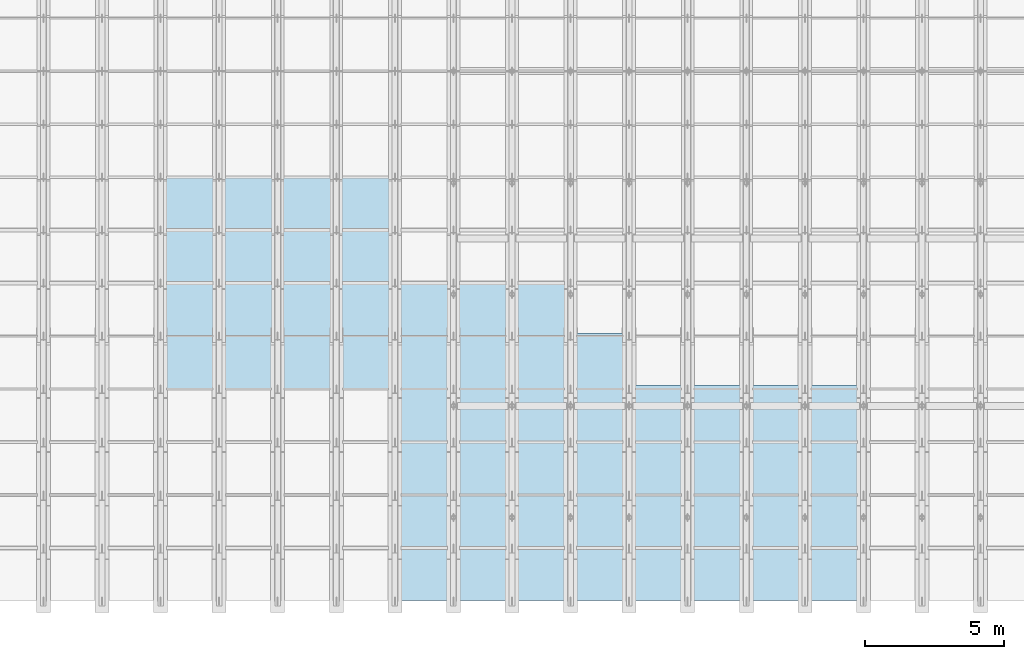
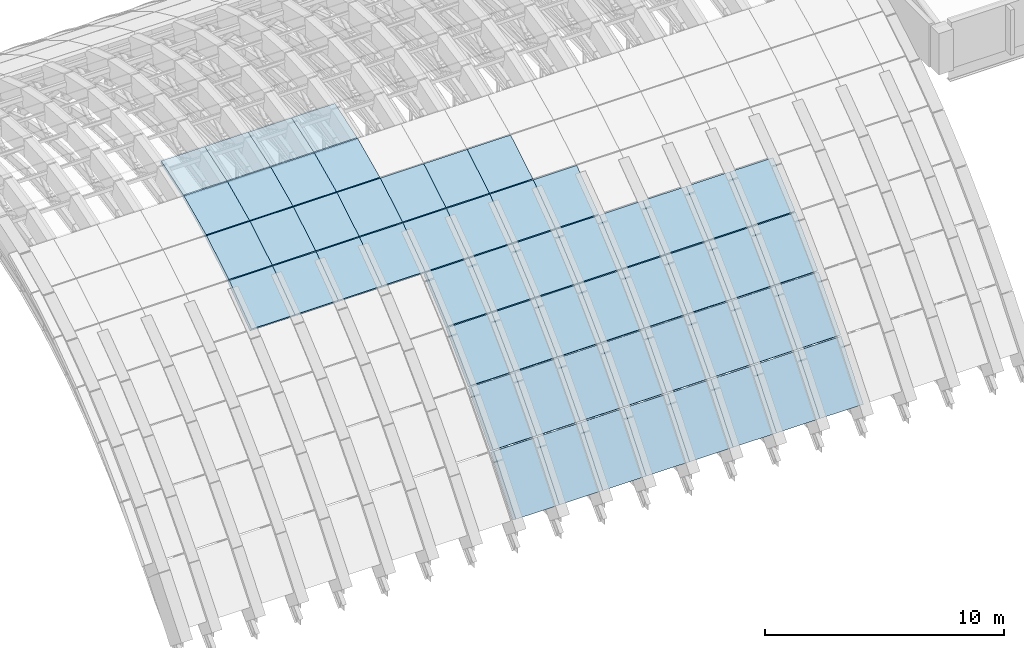
# One storey, part 51 of 67: 55 plates, 1 element without a shape of its own.
"""IFC4 building model written with IfcOpenShell, lengths in metres."""

from ifc_helpers import new_model, si_unit, direction, frame, origin, place, context, subcontext, project, spatial, polyline, outline, extrude, material, layer, layer_set, type_object, element, aggregate, save


model = new_model("IFC4")

# Units and contexts
model_context = context("Model", 3, precision=1e-05, world=origin(), true_north=direction((0.0, 1.0)))
body_context = subcontext(model_context, "Body", "Model", "MODEL_VIEW")
ifc_project = project(units=[si_unit("LENGTHUNIT", "METRE"), si_unit("AREAUNIT", "SQUARE_METRE"), si_unit("VOLUMEUNIT", "CUBIC_METRE"), si_unit("PLANEANGLEUNIT", "RADIAN"), si_unit("MASSUNIT", "GRAM", prefix="KILO")], contexts=[model_context])

# Site, building, storey
site_placement = place(None, origin())
site = spatial("IfcSite", under=ifc_project, at=site_placement, CompositionType="ELEMENT")
building_placement = place(site_placement, origin())
building = spatial("IfcBuilding", under=site, at=building_placement, Name="Shengluoqiao Park Theatre", CompositionType="ELEMENT")
storey_placement = place(building_placement, frame((0.0, 0.0, 28.60009765625)))
storey = spatial("IfcBuildingStorey", under=building, at=storey_placement, Name="Roof", CompositionType="ELEMENT", Elevation=28.60009765625)

# Roof, plates
ifc_material = material(Name="Concrete C50", Category="concrete")
roof_type = type_object("IfcRoofType", Name="STR-ROOF-BARREL", PredefinedType="BARREL_ROOF", material=ifc_material)
roof_placement = place(storey_placement, origin())
roof = element("IfcRoof", 1, at=roof_placement, inside=storey, type_object=roof_type, Name="Main Theatre Barrel-Vault Thin-Shell Roof", PredefinedType="BARREL_ROOF")
ifc_layer_1 = layer(ifc_material, 0.340087890625, Name="Concrete C50")
ifc_layer_set_1 = layer_set([ifc_layer_1], Name="Concrete C50")
plate_type_1 = type_object("IfcPlateType", Name="STR-SHP-SP-01", PredefinedType="USERDEFINED", material=ifc_layer_set_1)
plate_1_placement = place(storey_placement, frame((61.199951171875, 76.01806640625, -9.376220703125), z_axis=(0.0, -0.783285756394, 0.621661824331), x_axis=(1.0, 0.0, 0.0)))
plate_1 = element("IfcPlate", 2, at=plate_1_placement, type_object=plate_type_1, Name="Barrel-Vault Shell Panel B09-S01", ObjectType="SHELL PANEL", PredefinedType="USERDEFINED", context=body_context, shape_type="SweptSolid", body=[
    extrude(outline(polyline([(0.0, 0.0), (2.10009765625, 0.0), (2.10009765625, 2.998436768866167), (0.0, 2.998436768866167), (0.0, 0.0)])), origin(), (0.0, 0.0, -1.0), 0.340087890625),
])
plate_2_placement = place(storey_placement, frame((63.300048828125, 76.01806640625, -9.376220703125), z_axis=(0.0, -0.783285756394, 0.621661824331), x_axis=(1.0, 0.0, 0.0)))
plate_2 = element("IfcPlate", 3, at=plate_2_placement, type_object=plate_type_1, Name="Barrel-Vault Shell Panel B10-S01", ObjectType="SHELL PANEL", PredefinedType="USERDEFINED", context=body_context, shape_type="SweptSolid", body=[
    extrude(outline(polyline([(0.0, 0.0), (2.099853515625, 0.0), (2.099853515625, 2.9984367688661675), (0.0, 2.9984367688661675), (0.0, 0.0)])), origin(), (0.0, 0.0, -1.0), 0.340087890625),
])
plate_3_placement = place(storey_placement, frame((65.39990234375, 76.01806640625, -9.376220703125), z_axis=(0.0, -0.783285756394, 0.621661824331), x_axis=(1.0, 0.0, 0.0)))
plate_3 = element("IfcPlate", 4, at=plate_3_placement, type_object=plate_type_1, Name="Barrel-Vault Shell Panel B11-S01", ObjectType="SHELL PANEL", PredefinedType="USERDEFINED", context=body_context, shape_type="SweptSolid", body=[
    extrude(outline(polyline([(0.0, 0.0), (2.10009765625, 0.0), (2.10009765625, 2.998436768866167), (0.0, 2.998436768866167), (0.0, 0.0)])), origin(), (0.0, 0.0, -1.0), 0.340087890625),
])
plate_4_placement = place(storey_placement, frame((67.5, 76.01806640625, -9.376220703125), z_axis=(0.0, -0.783285756394, 0.621661824331), x_axis=(1.0, 0.0, 0.0)))
plate_4 = element("IfcPlate", 5, at=plate_4_placement, type_object=plate_type_1, Name="Barrel-Vault Shell Panel B12-S01", ObjectType="SHELL PANEL", PredefinedType="USERDEFINED", context=body_context, shape_type="SweptSolid", body=[
    extrude(outline(polyline([(0.0, 0.0), (2.10009765625, 0.0), (2.10009765625, 2.998436768866167), (0.0, 2.998436768866167), (0.0, 0.0)])), origin(), (0.0, 0.0, -1.0), 0.340087890625),
])
plate_5_placement = place(storey_placement, frame((69.60009765625, 76.01806640625, -9.376220703125), z_axis=(0.0, -0.783285756394, 0.621661824331), x_axis=(1.0, 0.0, 0.0)))
plate_5 = element("IfcPlate", 6, at=plate_5_placement, type_object=plate_type_1, Name="Barrel-Vault Shell Panel B13-S01", ObjectType="SHELL PANEL", PredefinedType="USERDEFINED", context=body_context, shape_type="SweptSolid", body=[
    extrude(outline(polyline([(0.0, 0.0), (2.099853515625, 0.0), (2.099853515625, 2.9984367688661675), (0.0, 2.9984367688661675), (0.0, 0.0)])), origin(), (0.0, 0.0, -1.0), 0.340087890625),
])
plate_6_placement = place(storey_placement, frame((71.699951171875, 76.01806640625, -9.376220703125), z_axis=(0.0, -0.783285756394, 0.621661824331), x_axis=(1.0, 0.0, 0.0)))
plate_6 = element("IfcPlate", 7, at=plate_6_placement, type_object=plate_type_1, Name="Barrel-Vault Shell Panel B14-S01", ObjectType="SHELL PANEL", PredefinedType="USERDEFINED", context=body_context, shape_type="SweptSolid", body=[
    extrude(outline(polyline([(0.0, 0.0), (2.10009765625, 0.0), (2.10009765625, 2.998436768866167), (0.0, 2.998436768866167), (0.0, 0.0)])), origin(), (0.0, 0.0, -1.0), 0.340087890625),
])
plate_7_placement = place(storey_placement, frame((73.800048828125, 76.01806640625, -9.376220703125), z_axis=(0.0, -0.783285756394, 0.621661824331), x_axis=(1.0, 0.0, 0.0)))
plate_7 = element("IfcPlate", 8, at=plate_7_placement, type_object=plate_type_1, Name="Barrel-Vault Shell Panel B15-S01", ObjectType="SHELL PANEL", PredefinedType="USERDEFINED", context=body_context, shape_type="SweptSolid", body=[
    extrude(outline(polyline([(0.0, 0.0), (2.099853515625, 0.0), (2.099853515625, 2.9984367688661675), (0.0, 2.9984367688661675), (0.0, 0.0)])), origin(), (0.0, 0.0, -1.0), 0.340087890625),
])
plate_8_placement = place(storey_placement, frame((75.89990234375, 76.01806640625, -9.376220703125), z_axis=(0.0, -0.783285756394, 0.621661824331), x_axis=(1.0, 0.0, 0.0)))
plate_8 = element("IfcPlate", 9, at=plate_8_placement, type_object=plate_type_1, Name="Barrel-Vault Shell Panel B16-S01", ObjectType="SHELL PANEL", PredefinedType="USERDEFINED", context=body_context, shape_type="SweptSolid", body=[
    extrude(outline(polyline([(0.0, 0.0), (2.10009765625, 0.0), (2.10009765625, 2.998436768866167), (0.0, 2.998436768866167), (0.0, 0.0)])), origin(), (0.0, 0.0, -1.0), 0.340087890625),
])
ifc_layer_2 = layer(ifc_material, 0.31005859375, Name="Concrete C50")
ifc_layer_set_2 = layer_set([ifc_layer_2], Name="Concrete C50")
plate_type_2 = type_object("IfcPlateType", Name="STR-SHP-SP-02", PredefinedType="USERDEFINED", material=ifc_layer_set_2)
plate_9_placement = place(storey_placement, frame((61.199951171875, 77.91796875, -6.984619140625), z_axis=(0.0, -0.7480850773, 0.663602830857), x_axis=(1.0, 0.0, 0.0)))
plate_9 = element("IfcPlate", 10, at=plate_9_placement, type_object=plate_type_2, Name="Barrel-Vault Shell Panel B09-S02", ObjectType="SHELL PANEL", PredefinedType="USERDEFINED", context=body_context, shape_type="SweptSolid", body=[
    extrude(outline(polyline([(0.0, 0.0), (2.10009765625, 0.0), (2.10009765625, 2.808929656716836), (0.0, 2.808929656716836), (0.0, 0.0)])), origin(), (0.0, 0.0, -1.0), 0.31005859375),
])
plate_10_placement = place(storey_placement, frame((63.300048828125, 77.91796875, -6.984619140625), z_axis=(0.0, -0.7480850773, 0.663602830857), x_axis=(1.0, 0.0, 0.0)))
plate_10 = element("IfcPlate", 11, at=plate_10_placement, type_object=plate_type_2, Name="Barrel-Vault Shell Panel B10-S02", ObjectType="SHELL PANEL", PredefinedType="USERDEFINED", context=body_context, shape_type="SweptSolid", body=[
    extrude(outline(polyline([(0.0, 0.0), (2.099853515625, 0.0), (2.099853515625, 2.8089296567168356), (0.0, 2.8089296567168356), (0.0, 0.0)])), origin(), (0.0, 0.0, -1.0), 0.31005859375),
])
plate_11_placement = place(storey_placement, frame((65.39990234375, 77.91796875, -6.984619140625), z_axis=(0.0, -0.7480850773, 0.663602830857), x_axis=(1.0, 0.0, 0.0)))
plate_11 = element("IfcPlate", 12, at=plate_11_placement, type_object=plate_type_2, Name="Barrel-Vault Shell Panel B11-S02", ObjectType="SHELL PANEL", PredefinedType="USERDEFINED", context=body_context, shape_type="SweptSolid", body=[
    extrude(outline(polyline([(0.0, 0.0), (2.10009765625, 0.0), (2.10009765625, 2.808929656716836), (0.0, 2.808929656716836), (0.0, 0.0)])), origin(), (0.0, 0.0, -1.0), 0.31005859375),
])
plate_12_placement = place(storey_placement, frame((67.5, 77.91796875, -6.984619140625), z_axis=(0.0, -0.7480850773, 0.663602830857), x_axis=(1.0, 0.0, 0.0)))
plate_12 = element("IfcPlate", 13, at=plate_12_placement, type_object=plate_type_2, Name="Barrel-Vault Shell Panel B12-S02", ObjectType="SHELL PANEL", PredefinedType="USERDEFINED", context=body_context, shape_type="SweptSolid", body=[
    extrude(outline(polyline([(0.0, 0.0), (2.10009765625, 0.0), (2.10009765625, 2.808929656716836), (0.0, 2.808929656716836), (0.0, 0.0)])), origin(), (0.0, 0.0, -1.0), 0.31005859375),
])
plate_13_placement = place(storey_placement, frame((69.60009765625, 77.91796875, -6.984619140625), z_axis=(0.0, -0.7480850773, 0.663602830857), x_axis=(1.0, 0.0, 0.0)))
plate_13 = element("IfcPlate", 14, at=plate_13_placement, type_object=plate_type_2, Name="Barrel-Vault Shell Panel B13-S02", ObjectType="SHELL PANEL", PredefinedType="USERDEFINED", context=body_context, shape_type="SweptSolid", body=[
    extrude(outline(polyline([(0.0, 0.0), (2.099853515625, 0.0), (2.099853515625, 2.8089296567168356), (0.0, 2.8089296567168356), (0.0, 0.0)])), origin(), (0.0, 0.0, -1.0), 0.31005859375),
])
plate_14_placement = place(storey_placement, frame((71.699951171875, 77.91796875, -6.984619140625), z_axis=(0.0, -0.7480850773, 0.663602830857), x_axis=(1.0, 0.0, 0.0)))
plate_14 = element("IfcPlate", 15, at=plate_14_placement, type_object=plate_type_2, Name="Barrel-Vault Shell Panel B14-S02", ObjectType="SHELL PANEL", PredefinedType="USERDEFINED", context=body_context, shape_type="SweptSolid", body=[
    extrude(outline(polyline([(0.0, 0.0), (2.10009765625, 0.0), (2.10009765625, 2.808929656716836), (0.0, 2.808929656716836), (0.0, 0.0)])), origin(), (0.0, 0.0, -1.0), 0.31005859375),
])
plate_15_placement = place(storey_placement, frame((73.800048828125, 77.91796875, -6.984619140625), z_axis=(0.0, -0.7480850773, 0.663602830857), x_axis=(1.0, 0.0, 0.0)))
plate_15 = element("IfcPlate", 16, at=plate_15_placement, type_object=plate_type_2, Name="Barrel-Vault Shell Panel B15-S02", ObjectType="SHELL PANEL", PredefinedType="USERDEFINED", context=body_context, shape_type="SweptSolid", body=[
    extrude(outline(polyline([(0.0, 0.0), (2.099853515625, 0.0), (2.099853515625, 2.8089296567168356), (0.0, 2.8089296567168356), (0.0, 0.0)])), origin(), (0.0, 0.0, -1.0), 0.31005859375),
])
plate_16_placement = place(storey_placement, frame((75.89990234375, 77.91796875, -6.984619140625), z_axis=(0.0, -0.7480850773, 0.663602830857), x_axis=(1.0, 0.0, 0.0)))
plate_16 = element("IfcPlate", 17, at=plate_16_placement, type_object=plate_type_2, Name="Barrel-Vault Shell Panel B16-S02", ObjectType="SHELL PANEL", PredefinedType="USERDEFINED", context=body_context, shape_type="SweptSolid", body=[
    extrude(outline(polyline([(0.0, 0.0), (2.10009765625, 0.0), (2.10009765625, 2.808929656716836), (0.0, 2.808929656716836), (0.0, 0.0)])), origin(), (0.0, 0.0, -1.0), 0.31005859375),
])
ifc_layer_3 = layer(ifc_material, 0.280029296875, Name="Concrete C50")
ifc_layer_set_3 = layer_set([ifc_layer_3], Name="Concrete C50")
plate_type_3 = type_object("IfcPlateType", Name="STR-SHP-SP-03", PredefinedType="USERDEFINED", material=ifc_layer_set_3)
plate_17_placement = place(storey_placement, frame((61.199951171875, 79.818115234375, -4.844970703125), z_axis=(0.0, -0.705293636194, 0.708915288835), x_axis=(1.0, 0.0, 0.0)))
plate_17 = element("IfcPlate", 18, at=plate_17_placement, type_object=plate_type_3, Name="Barrel-Vault Shell Panel B09-S03", ObjectType="SHELL PANEL", PredefinedType="USERDEFINED", context=body_context, shape_type="SweptSolid", body=[
    extrude(outline(polyline([(0.0, 0.0), (2.10009765625, 0.0), (2.10009765625, 2.629044062954365), (0.0, 2.629044062954365), (0.0, 0.0)])), origin(), (0.0, 0.0, -1.0), 0.280029296875),
])
plate_18_placement = place(storey_placement, frame((63.300048828125, 79.818115234375, -4.844970703125), z_axis=(0.0, -0.705293636194, 0.708915288835), x_axis=(1.0, 0.0, 0.0)))
plate_18 = element("IfcPlate", 19, at=plate_18_placement, type_object=plate_type_3, Name="Barrel-Vault Shell Panel B10-S03", ObjectType="SHELL PANEL", PredefinedType="USERDEFINED", context=body_context, shape_type="SweptSolid", body=[
    extrude(outline(polyline([(0.0, 0.0), (2.099853515625, 0.0), (2.099853515625, 2.629044062954365), (0.0, 2.629044062954365), (0.0, 0.0)])), origin(), (0.0, 0.0, -1.0), 0.280029296875),
])
plate_19_placement = place(storey_placement, frame((65.39990234375, 79.818115234375, -4.844970703125), z_axis=(0.0, -0.705293636194, 0.708915288835), x_axis=(1.0, 0.0, 0.0)))
plate_19 = element("IfcPlate", 20, at=plate_19_placement, type_object=plate_type_3, Name="Barrel-Vault Shell Panel B11-S03", ObjectType="SHELL PANEL", PredefinedType="USERDEFINED", context=body_context, shape_type="SweptSolid", body=[
    extrude(outline(polyline([(0.0, 0.0), (2.10009765625, 0.0), (2.10009765625, 2.629044062954365), (0.0, 2.629044062954365), (0.0, 0.0)])), origin(), (0.0, 0.0, -1.0), 0.280029296875),
])
plate_20_placement = place(storey_placement, frame((67.5, 79.818115234375, -4.844970703125), z_axis=(0.0, -0.705293636194, 0.708915288835), x_axis=(1.0, 0.0, 0.0)))
plate_20 = element("IfcPlate", 21, at=plate_20_placement, type_object=plate_type_3, Name="Barrel-Vault Shell Panel B12-S03", ObjectType="SHELL PANEL", PredefinedType="USERDEFINED", context=body_context, shape_type="SweptSolid", body=[
    extrude(outline(polyline([(0.0, 0.0), (2.10009765625, 0.0), (2.10009765625, 2.629044062954365), (0.0, 2.629044062954365), (0.0, 0.0)])), origin(), (0.0, 0.0, -1.0), 0.280029296875),
])
plate_21_placement = place(storey_placement, frame((69.60009765625, 79.818115234375, -4.844970703125), z_axis=(0.0, -0.705293636194, 0.708915288835), x_axis=(1.0, 0.0, 0.0)))
plate_21 = element("IfcPlate", 22, at=plate_21_placement, type_object=plate_type_3, Name="Barrel-Vault Shell Panel B13-S03", ObjectType="SHELL PANEL", PredefinedType="USERDEFINED", context=body_context, shape_type="SweptSolid", body=[
    extrude(outline(polyline([(0.0, 0.0), (2.099853515625, 0.0), (2.099853515625, 2.629044062954365), (0.0, 2.629044062954365), (0.0, 0.0)])), origin(), (0.0, 0.0, -1.0), 0.280029296875),
])
plate_22_placement = place(storey_placement, frame((71.699951171875, 79.818115234375, -4.844970703125), z_axis=(0.0, -0.705293636194, 0.708915288835), x_axis=(1.0, 0.0, 0.0)))
plate_22 = element("IfcPlate", 23, at=plate_22_placement, type_object=plate_type_3, Name="Barrel-Vault Shell Panel B14-S03", ObjectType="SHELL PANEL", PredefinedType="USERDEFINED", context=body_context, shape_type="SweptSolid", body=[
    extrude(outline(polyline([(0.0, 0.0), (2.10009765625, 0.0), (2.10009765625, 2.629044062954365), (0.0, 2.629044062954365), (0.0, 0.0)])), origin(), (0.0, 0.0, -1.0), 0.280029296875),
])
plate_23_placement = place(storey_placement, frame((73.800048828125, 79.818115234375, -4.844970703125), z_axis=(0.0, -0.705293636194, 0.708915288835), x_axis=(1.0, 0.0, 0.0)))
plate_23 = element("IfcPlate", 24, at=plate_23_placement, type_object=plate_type_3, Name="Barrel-Vault Shell Panel B15-S03", ObjectType="SHELL PANEL", PredefinedType="USERDEFINED", context=body_context, shape_type="SweptSolid", body=[
    extrude(outline(polyline([(0.0, 0.0), (2.099853515625, 0.0), (2.099853515625, 2.629044062954365), (0.0, 2.629044062954365), (0.0, 0.0)])), origin(), (0.0, 0.0, -1.0), 0.280029296875),
])
plate_24_placement = place(storey_placement, frame((75.89990234375, 79.818115234375, -4.844970703125), z_axis=(0.0, -0.705293636194, 0.708915288835), x_axis=(1.0, 0.0, 0.0)))
plate_24 = element("IfcPlate", 25, at=plate_24_placement, type_object=plate_type_3, Name="Barrel-Vault Shell Panel B16-S03", ObjectType="SHELL PANEL", PredefinedType="USERDEFINED", context=body_context, shape_type="SweptSolid", body=[
    extrude(outline(polyline([(0.0, 0.0), (2.10009765625, 0.0), (2.10009765625, 2.629044062954365), (0.0, 2.629044062954365), (0.0, 0.0)])), origin(), (0.0, 0.0, -1.0), 0.280029296875),
])
ifc_layer_4 = layer(ifc_material, 0.25, Name="Concrete C50")
ifc_layer_set_4 = layer_set([ifc_layer_4], Name="Concrete C50")
plate_type_4 = type_object("IfcPlateType", Name="STR-SHP-SP-04", PredefinedType="USERDEFINED", material=ifc_layer_set_4)
plate_25_placement = place(storey_placement, frame((61.199951171875, 81.718017578125, -2.95751953125), z_axis=(0.0, -0.653002411915, 0.757355827886), x_axis=(1.0, 0.0, 0.0)))
plate_25 = element("IfcPlate", 26, at=plate_25_placement, type_object=plate_type_4, Name="Barrel-Vault Shell Panel B09-S04", ObjectType="SHELL PANEL", PredefinedType="USERDEFINED", context=body_context, shape_type="SweptSolid", body=[
    extrude(outline(polyline([(0.0, 0.0), (2.10009765625, 0.0), (2.10009765625, 2.461212554577048), (0.0, 2.461212554577048), (0.0, 0.0)])), origin(), (0.0, 0.0, -1.0), 0.25),
])
plate_26_placement = place(storey_placement, frame((63.300048828125, 81.718017578125, -2.95751953125), z_axis=(0.0, -0.653002411915, 0.757355827886), x_axis=(1.0, 0.0, 0.0)))
plate_26 = element("IfcPlate", 27, at=plate_26_placement, type_object=plate_type_4, Name="Barrel-Vault Shell Panel B10-S04", ObjectType="SHELL PANEL", PredefinedType="USERDEFINED", context=body_context, shape_type="SweptSolid", body=[
    extrude(outline(polyline([(0.0, 0.0), (2.099853515625, 0.0), (2.099853515625, 2.461212554577048), (0.0, 2.461212554577048), (0.0, 0.0)])), origin(), (0.0, 0.0, -1.0), 0.25),
])
plate_27_placement = place(storey_placement, frame((65.39990234375, 81.718017578125, -2.95751953125), z_axis=(0.0, -0.653002411915, 0.757355827886), x_axis=(1.0, 0.0, 0.0)))
plate_27 = element("IfcPlate", 28, at=plate_27_placement, type_object=plate_type_4, Name="Barrel-Vault Shell Panel B11-S04", ObjectType="SHELL PANEL", PredefinedType="USERDEFINED", context=body_context, shape_type="SweptSolid", body=[
    extrude(outline(polyline([(0.0, 0.0), (2.10009765625, 0.0), (2.10009765625, 2.461212554577048), (0.0, 2.461212554577048), (0.0, 0.0)])), origin(), (0.0, 0.0, -1.0), 0.25),
])
plate_28_placement = place(storey_placement, frame((67.5, 81.718017578125, -2.95751953125), z_axis=(0.0, -0.653002411915, 0.757355827886), x_axis=(1.0, 0.0, 0.0)))
plate_28 = element("IfcPlate", 29, at=plate_28_placement, type_object=plate_type_4, Name="Barrel-Vault Shell Panel B12-S04", ObjectType="SHELL PANEL", PredefinedType="USERDEFINED", context=body_context, shape_type="SweptSolid", body=[
    extrude(outline(polyline([(0.0, 0.0), (2.10009765625, 0.0), (2.10009765625, 2.461212554577048), (0.0, 2.461212554577048), (0.0, 0.0)])), origin(), (0.0, 0.0, -1.0), 0.25),
])
plate_29_placement = place(storey_placement, frame((69.60009765625, 81.718017578125, -2.95751953125), z_axis=(0.0, -0.653002411915, 0.757355827886), x_axis=(1.0, 0.0, 0.0)))
plate_29 = element("IfcPlate", 30, at=plate_29_placement, type_object=plate_type_4, Name="Barrel-Vault Shell Panel B13-S04", ObjectType="SHELL PANEL", PredefinedType="USERDEFINED", context=body_context, shape_type="SweptSolid", body=[
    extrude(outline(polyline([(0.0, 0.0), (2.099853515625, 0.0), (2.099853515625, 2.461212554577048), (0.0, 2.461212554577048), (0.0, 0.0)])), origin(), (0.0, 0.0, -1.0), 0.25),
])
plate_30_placement = place(storey_placement, frame((71.699951171875, 81.718017578125, -2.95751953125), z_axis=(0.0, -0.653002411915, 0.757355827886), x_axis=(1.0, 0.0, 0.0)))
plate_30 = element("IfcPlate", 31, at=plate_30_placement, type_object=plate_type_4, Name="Barrel-Vault Shell Panel B14-S04", ObjectType="SHELL PANEL", PredefinedType="USERDEFINED", context=body_context, shape_type="SweptSolid", body=[
    extrude(outline(polyline([(0.0, 0.0), (2.10009765625, 0.0), (2.10009765625, 2.461212554577048), (0.0, 2.461212554577048), (0.0, 0.0)])), origin(), (0.0, 0.0, -1.0), 0.25),
])
plate_31_placement = place(storey_placement, frame((73.800048828125, 81.718017578125, -2.95751953125), z_axis=(0.0, -0.653002411915, 0.757355827886), x_axis=(1.0, 0.0, 0.0)))
plate_31 = element("IfcPlate", 32, at=plate_31_placement, type_object=plate_type_4, Name="Barrel-Vault Shell Panel B15-S04", ObjectType="SHELL PANEL", PredefinedType="USERDEFINED", context=body_context, shape_type="SweptSolid", body=[
    extrude(outline(polyline([(0.0, 0.0), (2.099853515625, 0.0), (2.099853515625, 2.461212554577048), (0.0, 2.461212554577048), (0.0, 0.0)])), origin(), (0.0, 0.0, -1.0), 0.25),
])
plate_32_placement = place(storey_placement, frame((75.89990234375, 81.718017578125, -2.95751953125), z_axis=(0.0, -0.653002411915, 0.757355827886), x_axis=(1.0, 0.0, 0.0)))
plate_32 = element("IfcPlate", 33, at=plate_32_placement, type_object=plate_type_4, Name="Barrel-Vault Shell Panel B16-S04", ObjectType="SHELL PANEL", PredefinedType="USERDEFINED", context=body_context, shape_type="SweptSolid", body=[
    extrude(outline(polyline([(0.0, 0.0), (2.10009765625, 0.0), (2.10009765625, 2.461212554577048), (0.0, 2.461212554577048), (0.0, 0.0)])), origin(), (0.0, 0.0, -1.0), 0.25),
])
ifc_layer_5 = layer(ifc_material, 0.219970703125, Name="Concrete C50")
ifc_layer_set_5 = layer_set([ifc_layer_5], Name="Concrete C50")
plate_type_5 = type_object("IfcPlateType", Name="STR-SHP-SP-05", PredefinedType="USERDEFINED", material=ifc_layer_set_5)
plate_33_placement = place(storey_placement, frame((52.800048828125, 83.617919921875, -1.32177734375), z_axis=(0.0, -0.589297368188, 0.807916215858), x_axis=(1.0, 0.0, 0.0)))
plate_33 = element("IfcPlate", 34, at=plate_33_placement, type_object=plate_type_5, Name="Barrel-Vault Shell Panel B05-S05", ObjectType="SHELL PANEL", PredefinedType="USERDEFINED", context=body_context, shape_type="SweptSolid", body=[
    extrude(outline(polyline([(0.0, 0.0), (2.099853515625, 0.0), (2.099853515625, 2.307186853397614), (0.0, 2.307186853397614), (0.0, 0.0)])), origin(), (0.0, 0.0, -1.0), 0.219970703125),
])
plate_34_placement = place(storey_placement, frame((54.89990234375, 83.617919921875, -1.32177734375), z_axis=(0.0, -0.589297368188, 0.807916215858), x_axis=(1.0, 0.0, 0.0)))
plate_34 = element("IfcPlate", 35, at=plate_34_placement, type_object=plate_type_5, Name="Barrel-Vault Shell Panel B06-S05", ObjectType="SHELL PANEL", PredefinedType="USERDEFINED", context=body_context, shape_type="SweptSolid", body=[
    extrude(outline(polyline([(0.0, 0.0), (2.10009765625, 0.0), (2.10009765625, 2.307186853397614), (0.0, 2.307186853397614), (0.0, 0.0)])), origin(), (0.0, 0.0, -1.0), 0.219970703125),
])
plate_35_placement = place(storey_placement, frame((57.0, 83.617919921875, -1.32177734375), z_axis=(0.0, -0.589297368188, 0.807916215858), x_axis=(1.0, 0.0, 0.0)))
plate_35 = element("IfcPlate", 36, at=plate_35_placement, type_object=plate_type_5, Name="Barrel-Vault Shell Panel B07-S05", ObjectType="SHELL PANEL", PredefinedType="USERDEFINED", context=body_context, shape_type="SweptSolid", body=[
    extrude(outline(polyline([(0.0, 0.0), (2.10009765625, 0.0), (2.10009765625, 2.307186853397614), (0.0, 2.307186853397614), (0.0, 0.0)])), origin(), (0.0, 0.0, -1.0), 0.219970703125),
])
plate_36_placement = place(storey_placement, frame((59.10009765625, 83.617919921875, -1.32177734375), z_axis=(0.0, -0.589297368188, 0.807916215858), x_axis=(1.0, 0.0, 0.0)))
plate_36 = element("IfcPlate", 37, at=plate_36_placement, type_object=plate_type_5, Name="Barrel-Vault Shell Panel B08-S05", ObjectType="SHELL PANEL", PredefinedType="USERDEFINED", context=body_context, shape_type="SweptSolid", body=[
    extrude(outline(polyline([(0.0, 0.0), (2.099853515625, 0.0), (2.099853515625, 2.307186853397614), (0.0, 2.307186853397614), (0.0, 0.0)])), origin(), (0.0, 0.0, -1.0), 0.219970703125),
])
plate_37_placement = place(storey_placement, frame((61.199951171875, 83.617919921875, -1.32177734375), z_axis=(0.0, -0.589297368188, 0.807916215858), x_axis=(1.0, 0.0, 0.0)))
plate_37 = element("IfcPlate", 38, at=plate_37_placement, type_object=plate_type_5, Name="Barrel-Vault Shell Panel B09-S05", ObjectType="SHELL PANEL", PredefinedType="USERDEFINED", context=body_context, shape_type="SweptSolid", body=[
    extrude(outline(polyline([(0.0, 0.0), (2.10009765625, 0.0), (2.10009765625, 2.307186853397614), (0.0, 2.307186853397614), (0.0, 0.0)])), origin(), (0.0, 0.0, -1.0), 0.219970703125),
])
plate_38_placement = place(storey_placement, frame((63.300048828125, 83.617919921875, -1.32177734375), z_axis=(0.0, -0.589297368188, 0.807916215858), x_axis=(1.0, 0.0, 0.0)))
plate_38 = element("IfcPlate", 39, at=plate_38_placement, type_object=plate_type_5, Name="Barrel-Vault Shell Panel B10-S05", ObjectType="SHELL PANEL", PredefinedType="USERDEFINED", context=body_context, shape_type="SweptSolid", body=[
    extrude(outline(polyline([(0.0, 0.0), (2.099853515625, 0.0), (2.099853515625, 2.307186853397614), (0.0, 2.307186853397614), (0.0, 0.0)])), origin(), (0.0, 0.0, -1.0), 0.219970703125),
])
plate_39_placement = place(storey_placement, frame((65.39990234375, 83.617919921875, -1.32177734375), z_axis=(0.0, -0.589297368188, 0.807916215858), x_axis=(1.0, 0.0, 0.0)))
plate_39 = element("IfcPlate", 40, at=plate_39_placement, type_object=plate_type_5, Name="Barrel-Vault Shell Panel B11-S05", ObjectType="SHELL PANEL", PredefinedType="USERDEFINED", context=body_context, shape_type="SweptSolid", body=[
    extrude(outline(polyline([(0.0, 0.0), (2.10009765625, 0.0), (2.10009765625, 2.307186853397614), (0.0, 2.307186853397614), (0.0, 0.0)])), origin(), (0.0, 0.0, -1.0), 0.219970703125),
])
plate_40_placement = place(storey_placement, frame((67.5, 83.617919921875, -1.32177734375), z_axis=(0.0, -0.589297368188, 0.807916215858), x_axis=(1.0, 0.0, 0.0)))
plate_40 = element("IfcPlate", 41, at=plate_40_placement, type_object=plate_type_5, Name="Barrel-Vault Shell Panel B12-S05", ObjectType="SHELL PANEL", PredefinedType="USERDEFINED", context=body_context, shape_type="SweptSolid", body=[
    extrude(outline(polyline([(0.0, 0.0), (2.10009765625, 0.0), (2.10009765625, 2.307186853397614), (0.0, 2.307186853397614), (0.0, 0.0)])), origin(), (0.0, 0.0, -1.0), 0.219970703125),
])
ifc_layer_6 = layer(ifc_material, 0.199951171875, Name="Concrete C50")
ifc_layer_set_6 = layer_set([ifc_layer_6], Name="Concrete C50")
plate_type_6 = type_object("IfcPlateType", Name="STR-SHP-SP-06", PredefinedType="USERDEFINED", material=ifc_layer_set_6)
plate_41_placement = place(storey_placement, frame((52.800048828125, 85.51806640625, 0.061767578125), z_axis=(0.0, -0.512509675023, 0.858681450253), x_axis=(1.0, 0.0, 0.0)))
plate_41 = element("IfcPlate", 42, at=plate_41_placement, type_object=plate_type_6, Name="Barrel-Vault Shell Panel B05-S06", ObjectType="SHELL PANEL", PredefinedType="USERDEFINED", context=body_context, shape_type="SweptSolid", body=[
    extrude(outline(polyline([(0.0, 0.0), (2.099853515625, 0.0), (2.099853515625, 2.1707860014057654), (0.0, 2.1707860014057654), (0.0, 0.0)])), origin(), (0.0, 0.0, -1.0), 0.199951171875),
])
plate_42_placement = place(storey_placement, frame((54.89990234375, 85.51806640625, 0.061767578125), z_axis=(0.0, -0.512509675023, 0.858681450253), x_axis=(1.0, 0.0, 0.0)))
plate_42 = element("IfcPlate", 43, at=plate_42_placement, type_object=plate_type_6, Name="Barrel-Vault Shell Panel B06-S06", ObjectType="SHELL PANEL", PredefinedType="USERDEFINED", context=body_context, shape_type="SweptSolid", body=[
    extrude(outline(polyline([(0.0, 0.0), (2.10009765625, 0.0), (2.10009765625, 2.1707860014057654), (0.0, 2.1707860014057654), (0.0, 0.0)])), origin(), (0.0, 0.0, -1.0), 0.199951171875),
])
plate_43_placement = place(storey_placement, frame((57.0, 85.51806640625, 0.061767578125), z_axis=(0.0, -0.512509675023, 0.858681450253), x_axis=(1.0, 0.0, 0.0)))
plate_43 = element("IfcPlate", 44, at=plate_43_placement, type_object=plate_type_6, Name="Barrel-Vault Shell Panel B07-S06", ObjectType="SHELL PANEL", PredefinedType="USERDEFINED", context=body_context, shape_type="SweptSolid", body=[
    extrude(outline(polyline([(0.0, 0.0), (2.10009765625, 0.0), (2.10009765625, 2.1707860014057654), (0.0, 2.1707860014057654), (0.0, 0.0)])), origin(), (0.0, 0.0, -1.0), 0.199951171875),
])
plate_44_placement = place(storey_placement, frame((59.10009765625, 85.51806640625, 0.061767578125), z_axis=(0.0, -0.512509675023, 0.858681450253), x_axis=(1.0, 0.0, 0.0)))
plate_44 = element("IfcPlate", 45, at=plate_44_placement, type_object=plate_type_6, Name="Barrel-Vault Shell Panel B08-S06", ObjectType="SHELL PANEL", PredefinedType="USERDEFINED", context=body_context, shape_type="SweptSolid", body=[
    extrude(outline(polyline([(0.0, 0.0), (2.099853515625, 0.0), (2.099853515625, 2.1707860014057654), (0.0, 2.1707860014057654), (0.0, 0.0)])), origin(), (0.0, 0.0, -1.0), 0.199951171875),
])
plate_45_placement = place(storey_placement, frame((61.199951171875, 85.51806640625, 0.061767578125), z_axis=(0.0, -0.512509675023, 0.858681450253), x_axis=(1.0, 0.0, 0.0)))
plate_45 = element("IfcPlate", 46, at=plate_45_placement, type_object=plate_type_6, Name="Barrel-Vault Shell Panel B09-S06", ObjectType="SHELL PANEL", PredefinedType="USERDEFINED", context=body_context, shape_type="SweptSolid", body=[
    extrude(outline(polyline([(0.0, 0.0), (2.10009765625, 0.0), (2.10009765625, 2.1707860014057654), (0.0, 2.1707860014057654), (0.0, 0.0)])), origin(), (0.0, 0.0, -1.0), 0.199951171875),
])
plate_46_placement = place(storey_placement, frame((63.300048828125, 85.51806640625, 0.061767578125), z_axis=(0.0, -0.512509675023, 0.858681450253), x_axis=(1.0, 0.0, 0.0)))
plate_46 = element("IfcPlate", 47, at=plate_46_placement, type_object=plate_type_6, Name="Barrel-Vault Shell Panel B10-S06", ObjectType="SHELL PANEL", PredefinedType="USERDEFINED", context=body_context, shape_type="SweptSolid", body=[
    extrude(outline(polyline([(0.0, 0.0), (2.099853515625, 0.0), (2.099853515625, 2.1707860014057654), (0.0, 2.1707860014057654), (0.0, 0.0)])), origin(), (0.0, 0.0, -1.0), 0.199951171875),
])
plate_47_placement = place(storey_placement, frame((65.39990234375, 85.51806640625, 0.061767578125), z_axis=(0.0, -0.512509675023, 0.858681450253), x_axis=(1.0, 0.0, 0.0)))
plate_47 = element("IfcPlate", 48, at=plate_47_placement, type_object=plate_type_6, Name="Barrel-Vault Shell Panel B11-S06", ObjectType="SHELL PANEL", PredefinedType="USERDEFINED", context=body_context, shape_type="SweptSolid", body=[
    extrude(outline(polyline([(0.0, 0.0), (2.10009765625, 0.0), (2.10009765625, 2.1707860014057654), (0.0, 2.1707860014057654), (0.0, 0.0)])), origin(), (0.0, 0.0, -1.0), 0.199951171875),
])
ifc_layer_7 = layer(ifc_material, 0.179931640625, Name="Concrete C50")
ifc_layer_set_7 = layer_set([ifc_layer_7], Name="Concrete C50")
plate_type_7 = type_object("IfcPlateType", Name="STR-SHP-SP-07", PredefinedType="USERDEFINED", material=ifc_layer_set_7)
plate_48_placement = place(storey_placement, frame((52.800048828125, 87.41796875, 1.193359375), z_axis=(0.0, -0.421128757918, 0.907000865079), x_axis=(1.0, 0.0, 0.0)))
plate_48 = element("IfcPlate", 49, at=plate_48_placement, type_object=plate_type_7, Name="Barrel-Vault Shell Panel B05-S07", ObjectType="SHELL PANEL", PredefinedType="USERDEFINED", context=body_context, shape_type="SweptSolid", body=[
    extrude(outline(polyline([(0.0, 0.0), (2.099853515625, 0.0), (2.099853515625, 2.055139905199978), (0.0, 2.055139905199978), (0.0, 0.0)])), origin(), (0.0, 0.0, -1.0), 0.179931640625),
])
plate_49_placement = place(storey_placement, frame((54.89990234375, 87.41796875, 1.193359375), z_axis=(0.0, -0.421128757918, 0.907000865079), x_axis=(1.0, 0.0, 0.0)))
plate_49 = element("IfcPlate", 50, at=plate_49_placement, type_object=plate_type_7, Name="Barrel-Vault Shell Panel B06-S07", ObjectType="SHELL PANEL", PredefinedType="USERDEFINED", context=body_context, shape_type="SweptSolid", body=[
    extrude(outline(polyline([(0.0, 0.0), (2.10009765625, 0.0), (2.10009765625, 2.0551399051999777), (0.0, 2.0551399051999777), (0.0, 0.0)])), origin(), (0.0, 0.0, -1.0), 0.179931640625),
])
plate_50_placement = place(storey_placement, frame((57.0, 87.41796875, 1.193359375), z_axis=(0.0, -0.421128757918, 0.907000865079), x_axis=(1.0, 0.0, 0.0)))
plate_50 = element("IfcPlate", 51, at=plate_50_placement, type_object=plate_type_7, Name="Barrel-Vault Shell Panel B07-S07", ObjectType="SHELL PANEL", PredefinedType="USERDEFINED", context=body_context, shape_type="SweptSolid", body=[
    extrude(outline(polyline([(0.0, 0.0), (2.10009765625, 0.0), (2.10009765625, 2.0551399051999777), (0.0, 2.0551399051999777), (0.0, 0.0)])), origin(), (0.0, 0.0, -1.0), 0.179931640625),
])
plate_51_placement = place(storey_placement, frame((59.10009765625, 87.41796875, 1.193359375), z_axis=(0.0, -0.421128757918, 0.907000865079), x_axis=(1.0, 0.0, 0.0)))
plate_51 = element("IfcPlate", 52, at=plate_51_placement, type_object=plate_type_7, Name="Barrel-Vault Shell Panel B08-S07", ObjectType="SHELL PANEL", PredefinedType="USERDEFINED", context=body_context, shape_type="SweptSolid", body=[
    extrude(outline(polyline([(0.0, 0.0), (2.099853515625, 0.0), (2.099853515625, 2.055139905199978), (0.0, 2.055139905199978), (0.0, 0.0)])), origin(), (0.0, 0.0, -1.0), 0.179931640625),
])
ifc_layer_8 = layer(ifc_material, 0.169921875, Name="Concrete C50")
ifc_layer_set_8 = layer_set([ifc_layer_8], Name="Concrete C50")
plate_type_8 = type_object("IfcPlateType", Name="STR-SHP-SP-08", PredefinedType="USERDEFINED", material=ifc_layer_set_8)
plate_52_placement = place(storey_placement, frame((52.800048828125, 89.318115234375, 2.072998046875), z_axis=(0.0, -0.314810021978, 0.949154702913), x_axis=(1.0, 0.0, 0.0)))
plate_52 = element("IfcPlate", 53, at=plate_52_placement, type_object=plate_type_8, Name="Barrel-Vault Shell Panel B05-S08", ObjectType="SHELL PANEL", PredefinedType="USERDEFINED", context=body_context, shape_type="SweptSolid", body=[
    extrude(outline(polyline([(0.0, 0.0), (2.099853515625, 0.0), (2.099853515625, 1.9636098578338692), (0.0, 1.9636098578338692), (0.0, 0.0)])), origin(), (0.0, 0.0, -1.0), 0.169921875),
])
plate_53_placement = place(storey_placement, frame((54.89990234375, 89.318115234375, 2.072998046875), z_axis=(0.0, -0.314810021978, 0.949154702913), x_axis=(1.0, 0.0, 0.0)))
plate_53 = element("IfcPlate", 54, at=plate_53_placement, type_object=plate_type_8, Name="Barrel-Vault Shell Panel B06-S08", ObjectType="SHELL PANEL", PredefinedType="USERDEFINED", context=body_context, shape_type="SweptSolid", body=[
    extrude(outline(polyline([(0.0, 0.0), (2.10009765625, 0.0), (2.10009765625, 1.9636098578338692), (0.0, 1.9636098578338692), (0.0, 0.0)])), origin(), (0.0, 0.0, -1.0), 0.169921875),
])
plate_54_placement = place(storey_placement, frame((57.0, 89.318115234375, 2.072998046875), z_axis=(0.0, -0.314810021978, 0.949154702913), x_axis=(1.0, 0.0, 0.0)))
plate_54 = element("IfcPlate", 55, at=plate_54_placement, type_object=plate_type_8, Name="Barrel-Vault Shell Panel B07-S08", ObjectType="SHELL PANEL", PredefinedType="USERDEFINED", context=body_context, shape_type="SweptSolid", body=[
    extrude(outline(polyline([(0.0, 0.0), (2.10009765625, 0.0), (2.10009765625, 1.9636098578338692), (0.0, 1.9636098578338692), (0.0, 0.0)])), origin(), (0.0, 0.0, -1.0), 0.169921875),
])
plate_55_placement = place(storey_placement, frame((59.10009765625, 89.318115234375, 2.072998046875), z_axis=(0.0, -0.314810021978, 0.949154702913), x_axis=(1.0, 0.0, 0.0)))
plate_55 = element("IfcPlate", 56, at=plate_55_placement, type_object=plate_type_8, Name="Barrel-Vault Shell Panel B08-S08", ObjectType="SHELL PANEL", PredefinedType="USERDEFINED", context=body_context, shape_type="SweptSolid", body=[
    extrude(outline(polyline([(0.0, 0.0), (2.099853515625, 0.0), (2.099853515625, 1.9636098578338692), (0.0, 1.9636098578338692), (0.0, 0.0)])), origin(), (0.0, 0.0, -1.0), 0.169921875),
])
aggregate(roof, [plate_33, plate_41, plate_48, plate_52, plate_34, plate_42, plate_49, plate_53, plate_35, plate_43, plate_50, plate_54, plate_36, plate_44, plate_51, plate_55, plate_1, plate_9, plate_17, plate_25, plate_37, plate_45, plate_2, plate_10, plate_18, plate_26, plate_38, plate_46, plate_3, plate_11, plate_19, plate_27, plate_39, plate_47, plate_4, plate_12, plate_20, plate_28, plate_40, plate_5, plate_13, plate_21, plate_29, plate_6, plate_14, plate_22, plate_30, plate_7, plate_15, plate_23, plate_31, plate_8, plate_16, plate_24, plate_32])

save(model, "model.ifc")
